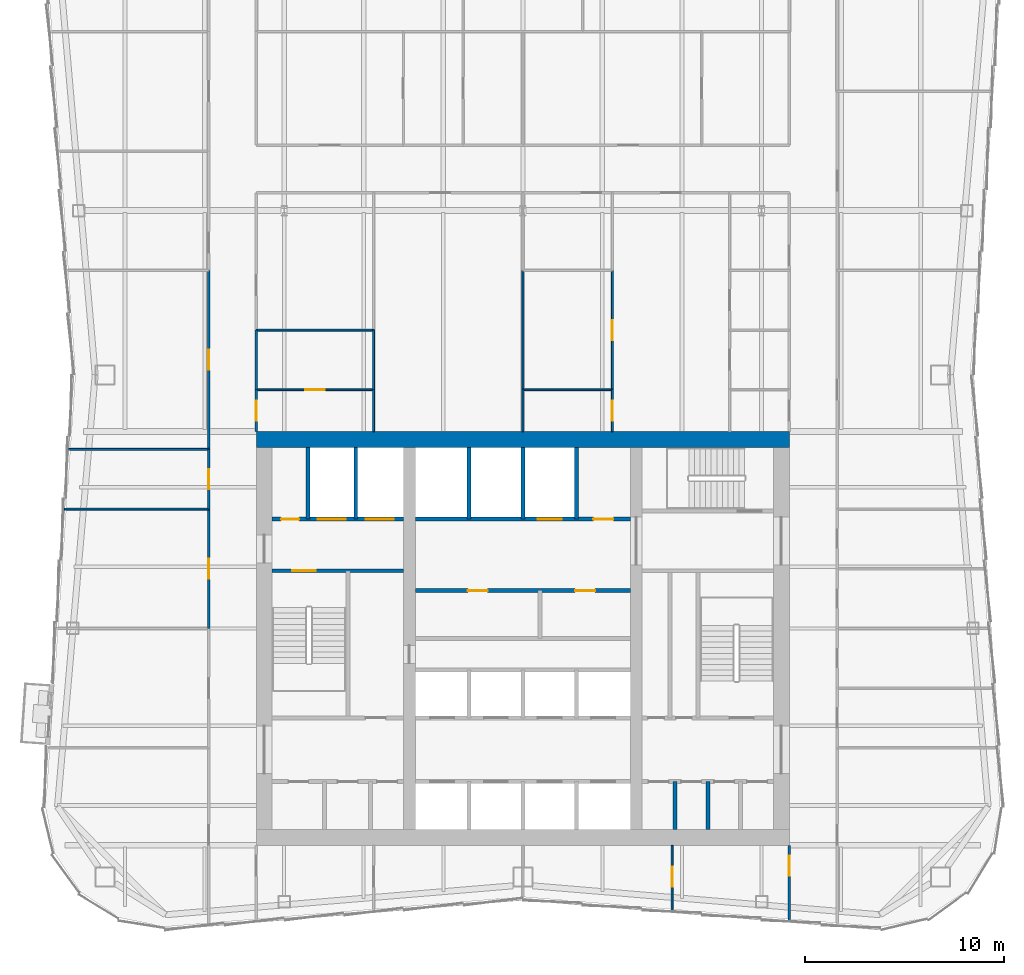
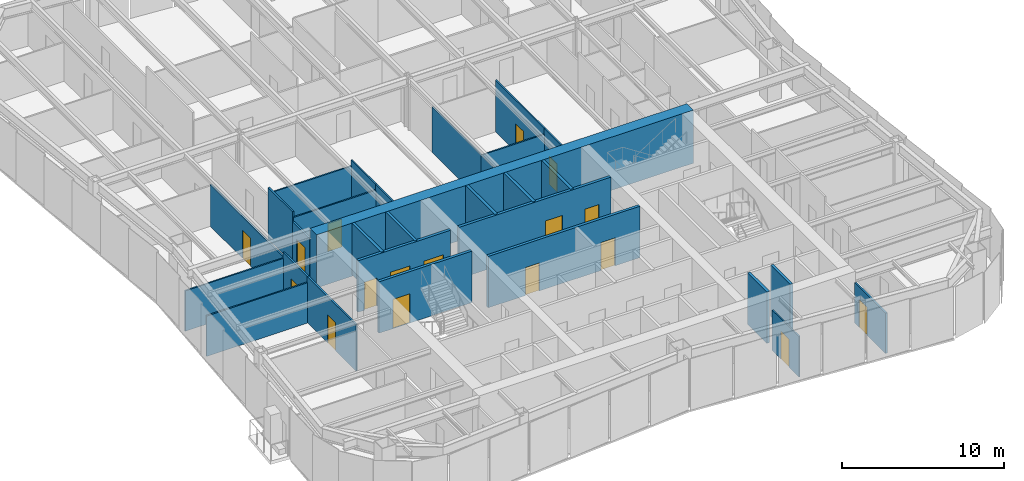
# One storey, part 7 of 12: 30 walls, 17 doors, 17 openings.
"""IFC4 building model written with IfcOpenShell, lengths in metres."""

from ifc_helpers import new_model, si_unit, direction, frame, frame_2d, origin, place, context, subcontext, project, spatial, rectangle, extrude, material, layer, layer_set, type_object, element, fill, save


model = new_model("IFC4")

# Units and contexts
model_context = context("Model", 3, precision=1e-05, world=origin(), true_north=direction((0.0, 1.0)))
body_context = subcontext(model_context, "Body", "Model", "MODEL_VIEW")
ifc_project = project(units=[si_unit("LENGTHUNIT", "METRE"), si_unit("AREAUNIT", "SQUARE_METRE"), si_unit("VOLUMEUNIT", "CUBIC_METRE"), si_unit("PLANEANGLEUNIT", "RADIAN"), si_unit("MASSUNIT", "GRAM", prefix="KILO")], contexts=[model_context])

# Site, building, storey
site_placement = place(None, origin())
site = spatial("IfcSite", under=ifc_project, at=site_placement, CompositionType="ELEMENT")
building_placement = place(site_placement, origin())
building = spatial("IfcBuilding", under=site, at=building_placement, Name="Verdant Reach Tower", CompositionType="ELEMENT")
storey_placement = place(building_placement, frame((0.0, 0.0, 270.0)))
storey = spatial("IfcBuildingStorey", under=building, at=storey_placement, Name="L62", CompositionType="ELEMENT", Elevation=270.0)

# Wall, openings, doors
ifc_material_1 = material(Name="Gypsum board on steel studs", Category="steel")
ifc_layer_1 = layer(ifc_material_1, 0.199951171875)
ifc_layer_set_1 = layer_set([ifc_layer_1], Name="CO-WALL-ROOM")
wall_type_1 = type_object("IfcWallType", Name="CO-WALL-ROOM", PredefinedType="PARTITIONING", material=ifc_layer_set_1)
wall_1_placement = place(storey_placement, frame((-5.39990234375, 30.39990234375, 0.0), z_axis=(0.0, 0.0, 1.0), x_axis=(1.0, 0.0, 0.0)))
wall_1 = element("IfcWall", 1, at=wall_1_placement, inside=storey, type_object=wall_type_1, Name="Core partition, L62", PredefinedType="PARTITIONING", context=body_context, shape_type="SweptSolid", body=[
    extrude(rectangle(XDim=10.7998046875, YDim=0.199951171875, at=frame_2d((5.39990234375, 0.0))), origin(), (0.0, 0.0, 1.0), 3.8701171875),
])
opening_1_placement = place(wall_1_placement, frame((2.632080078125, 0.0, 0.0)))
opening_1 = element("IfcOpeningElement", 2, at=opening_1_placement, cuts=wall_1, Name="Opening CD", PredefinedType="OPENING", context=body_context, shape_type="SweptSolid", body=[
    extrude(rectangle(XDim=1.0, YDim=2.10009765625, at=frame_2d((0.5, 1.050048828125))), frame((0.0, 0.10986328125, 0.0), z_axis=(0.0, -1.0, 0.0), x_axis=(1.0, 0.0, 0.0)), (0.0, 0.0, 1.0), 0.219970703125),
])
opening_2_placement = place(wall_1_placement, frame((8.031982421875, 0.0, 0.0)))
opening_2 = element("IfcOpeningElement", 3, at=opening_2_placement, cuts=wall_1, Name="Opening CD", PredefinedType="OPENING", context=body_context, shape_type="SweptSolid", body=[
    extrude(rectangle(XDim=1.0, YDim=2.10009765625, at=frame_2d((0.5, 1.050048828125))), frame((0.0, 0.10986328125, 0.0), z_axis=(0.0, -1.0, 0.0), x_axis=(1.0, 0.0, 0.0)), (0.0, 0.0, 1.0), 0.219970703125),
])
ifc_material_2 = material(Name="Timber", Category="wood")
door_type_1 = type_object("IfcDoorType", Name="CO-DOOR-ROOM", OperationType="NOTDEFINED", PredefinedType="DOOR", material=ifc_material_2)
door_1_placement = place(opening_1_placement, origin())
door_1 = element("IfcDoor", 4, at=door_1_placement, inside=storey, type_object=door_type_1, Name="Core room door, L62", OperationType="SINGLE_SWING_LEFT", OverallHeight=2.10009765625, OverallWidth=1.0, PredefinedType="DOOR", context=body_context, shape_type="SweptSolid", body=[
    extrude(rectangle(XDim=1.0, YDim=2.10009765625, at=frame_2d((0.5, 1.050048828125))), frame((0.0, 0.02490234375, 0.0), z_axis=(0.0, -1.0, 0.0), x_axis=(1.0, 0.0, 0.0)), (0.0, 0.0, 1.0), 0.050048828125),
])
fill(opening_1, door_1)
door_2_placement = place(opening_2_placement, origin())
door_2 = element("IfcDoor", 5, at=door_2_placement, inside=storey, type_object=door_type_1, Name="Core room door, L62", OperationType="SINGLE_SWING_RIGHT", OverallHeight=2.10009765625, OverallWidth=1.0, PredefinedType="DOOR", context=body_context, shape_type="SweptSolid", body=[
    extrude(rectangle(XDim=1.0, YDim=2.10009765625, at=frame_2d((0.5, 1.050048828125))), frame((0.0, 0.02490234375, 0.0), z_axis=(0.0, -1.0, 0.0), x_axis=(1.0, 0.0, 0.0)), (0.0, 0.0, 1.0), 0.050048828125),
])
fill(opening_2, door_2)

# Walls
for number, where, z_axis, x_axis, name in (
    (6, (7.64990234375, 18.39990234375, 0.0), (0.0, 0.0, 1.0), (0.0, 1.0, 0.0), "Core partition, L62"),
    (7, (9.300048828125, 18.39990234375, 0.0), (0.0, 0.0, 1.0), (0.0, 1.0, 0.0), "Core partition, L62"),
):
    element("IfcWall", number, at=place(storey_placement, frame(where, z_axis=z_axis, x_axis=x_axis)), inside=storey, type_object=wall_type_1, Name=name, PredefinedType="PARTITIONING", context=body_context, shape_type="SweptSolid", body=[
        extrude(rectangle(XDim=2.400146484375, YDim=0.199951171875, at=frame_2d((1.2001953125, 0.0))), origin(), (0.0, 0.0, 1.0), 3.8701171875),
    ])

# Wall, openings, doors
ifc_material_3 = material(Name="Concrete C40/50", Category="concrete")
ifc_layer_2 = layer(ifc_material_3, 0.199951171875)
ifc_layer_set_2 = layer_set([ifc_layer_2], Name="CO-WALL-SHAFT")
wall_type_2 = type_object("IfcWallType", Name="CO-WALL-SHAFT", PredefinedType="PARTITIONING", material=ifc_layer_set_2)
wall_2_placement = place(storey_placement, frame((-12.60009765625, 34.0, 0.0), z_axis=(0.0, 0.0, 1.0), x_axis=(1.0, 0.0, 0.0)))
wall_2 = element("IfcWall", 8, at=wall_2_placement, inside=storey, type_object=wall_type_2, Name="Lift shaft wall, L62", PredefinedType="PARTITIONING", context=body_context, shape_type="SweptSolid", body=[
    extrude(rectangle(XDim=6.60009765625, YDim=0.199951171875, at=frame_2d((3.300048828125, 0.0))), origin(), (0.0, 0.0, 1.0), 3.8701171875),
])
opening_3_placement = place(wall_2_placement, frame((4.699951171875, 0.0, 0.0)))
opening_3 = element("IfcOpeningElement", 9, at=opening_3_placement, cuts=wall_2, Name="Opening LD-F1", PredefinedType="OPENING", context=body_context, shape_type="SweptSolid", body=[
    extrude(rectangle(XDim=1.39990234375, YDim=2.199951171875, at=frame_2d((0.699951171875, 1.10009765625))), frame((0.0, 0.10986328125, 0.0), z_axis=(0.0, -1.0, 0.0), x_axis=(1.0, 0.0, 0.0)), (0.0, 0.0, 1.0), 0.219970703125),
])
opening_4_placement = place(wall_2_placement, frame((2.300048828125, 0.0, 0.0)))
opening_4 = element("IfcOpeningElement", 10, at=opening_4_placement, cuts=wall_2, Name="Opening LD-F2", PredefinedType="OPENING", context=body_context, shape_type="SweptSolid", body=[
    extrude(rectangle(XDim=1.39990234375, YDim=2.199951171875, at=frame_2d((0.699951171875, 1.10009765625))), frame((0.0, 0.10986328125, 0.0), z_axis=(0.0, -1.0, 0.0), x_axis=(1.0, 0.0, 0.0)), (0.0, 0.0, 1.0), 0.219970703125),
])
opening_5_placement = place(wall_2_placement, frame((0.449951171875, 0.0, 0.0)))
opening_5 = element("IfcOpeningElement", 11, at=opening_5_placement, cuts=wall_2, Name="Opening RD", PredefinedType="OPENING", context=body_context, shape_type="SweptSolid", body=[
    extrude(rectangle(XDim=0.89990234375, YDim=2.10009765625, at=frame_2d((0.449951171875, 1.050048828125))), frame((0.0, 0.10986328125, 0.0), z_axis=(0.0, -1.0, 0.0), x_axis=(1.0, 0.0, 0.0)), (0.0, 0.0, 1.0), 0.219970703125),
])
ifc_material_4 = material(Name="Stainless steel", Category="steel")
door_type_2 = type_object("IfcDoorType", Name="CO-DOOR-LANDING-FF", OperationType="SLIDING_TO_LEFT", PredefinedType="DOOR", material=ifc_material_4)
door_3_placement = place(opening_3_placement, origin())
door_3 = element("IfcDoor", 12, at=door_3_placement, inside=storey, type_object=door_type_2, Name="Landing door F1, L62", OperationType="SLIDING_TO_LEFT", OverallHeight=2.199951171875, OverallWidth=1.39990234375, PredefinedType="DOOR", context=body_context, shape_type="SweptSolid", body=[
    extrude(rectangle(XDim=1.39990234375, YDim=2.199951171875, at=frame_2d((0.699951171875, 1.10009765625))), frame((0.0, 0.02490234375, 0.0), z_axis=(0.0, -1.0, 0.0), x_axis=(1.0, 0.0, 0.0)), (0.0, 0.0, 1.0), 0.050048828125),
])
fill(opening_3, door_3)
door_4_placement = place(opening_4_placement, origin())
door_4 = element("IfcDoor", 13, at=door_4_placement, inside=storey, type_object=door_type_2, Name="Landing door F2, L62", OperationType="SLIDING_TO_LEFT", OverallHeight=2.199951171875, OverallWidth=1.39990234375, PredefinedType="DOOR", context=body_context, shape_type="SweptSolid", body=[
    extrude(rectangle(XDim=1.39990234375, YDim=2.199951171875, at=frame_2d((0.699951171875, 1.10009765625))), frame((0.0, 0.02490234375, 0.0), z_axis=(0.0, -1.0, 0.0), x_axis=(1.0, 0.0, 0.0)), (0.0, 0.0, 1.0), 0.050048828125),
])
fill(opening_4, door_4)
ifc_material_5 = material(Name="Steel", Category="steel")
door_type_3 = type_object("IfcDoorType", Name="CO-DOOR-RISER", OperationType="NOTDEFINED", PredefinedType="DOOR", material=ifc_material_5)
door_5_placement = place(opening_5_placement, origin())
door_5 = element("IfcDoor", 14, at=door_5_placement, inside=storey, type_object=door_type_3, Name="Core room door, L62", OperationType="SINGLE_SWING_RIGHT", OverallHeight=2.10009765625, OverallWidth=0.89990234375, PredefinedType="DOOR", context=body_context, shape_type="SweptSolid", body=[
    extrude(rectangle(XDim=0.89990234375, YDim=2.10009765625, at=frame_2d((0.449951171875, 1.050048828125))), frame((0.0, 0.02490234375, 0.0), z_axis=(0.0, -1.0, 0.0), x_axis=(1.0, 0.0, 0.0)), (0.0, 0.0, 1.0), 0.050048828125),
])
fill(opening_5, door_5)

wall_3_placement = place(storey_placement, frame((-5.39990234375, 34.0, 0.0), z_axis=(0.0, 0.0, 1.0), x_axis=(1.0, 0.0, 0.0)))
wall_3 = element("IfcWall", 15, at=wall_3_placement, inside=storey, type_object=wall_type_2, Name="Lift shaft wall, L62", PredefinedType="PARTITIONING", context=body_context, shape_type="SweptSolid", body=[
    extrude(rectangle(XDim=10.7998046875, YDim=0.199951171875, at=frame_2d((5.39990234375, 0.0))), origin(), (0.0, 0.0, 1.0), 3.8701171875),
])
opening_6_placement = place(wall_3_placement, frame((6.14990234375, 0.0, 0.0)))
opening_6 = element("IfcOpeningElement", 16, at=opening_6_placement, cuts=wall_3, Name="Opening LD-SL1", PredefinedType="OPENING", context=body_context, shape_type="SweptSolid", body=[
    extrude(rectangle(XDim=1.199951171875, YDim=2.199951171875, at=frame_2d((0.60009765625, 1.10009765625))), frame((0.0, 0.10986328125, 0.0), z_axis=(0.0, -1.0, 0.0), x_axis=(1.0, 0.0, 0.0)), (0.0, 0.0, 1.0), 0.219970703125),
])
opening_7_placement = place(wall_3_placement, frame((8.949951171875, 0.0, 0.0)))
opening_7 = element("IfcOpeningElement", 17, at=opening_7_placement, cuts=wall_3, Name="Opening CD", PredefinedType="OPENING", context=body_context, shape_type="SweptSolid", body=[
    extrude(rectangle(XDim=1.0, YDim=2.10009765625, at=frame_2d((0.5, 1.050048828125))), frame((0.0, 0.10986328125, 0.0), z_axis=(0.0, -1.0, 0.0), x_axis=(1.0, 0.0, 0.0)), (0.0, 0.0, 1.0), 0.219970703125),
])
door_type_4 = type_object("IfcDoorType", Name="CO-DOOR-LANDING", OperationType="SLIDING_TO_LEFT", PredefinedType="DOOR", material=ifc_material_4)
door_6_placement = place(opening_6_placement, origin())
door_6 = element("IfcDoor", 18, at=door_6_placement, inside=storey, type_object=door_type_4, Name="Landing door SL1, L62", OperationType="SLIDING_TO_LEFT", OverallHeight=2.199951171875, OverallWidth=1.199951171875, PredefinedType="DOOR", context=body_context, shape_type="SweptSolid", body=[
    extrude(rectangle(XDim=1.199951171875, YDim=2.199951171875, at=frame_2d((0.60009765625, 1.10009765625))), frame((0.0, 0.02490234375, 0.0), z_axis=(0.0, -1.0, 0.0), x_axis=(1.0, 0.0, 0.0)), (0.0, 0.0, 1.0), 0.050048828125),
])
fill(opening_6, door_6)
door_7_placement = place(opening_7_placement, origin())
door_7 = element("IfcDoor", 19, at=door_7_placement, inside=storey, type_object=door_type_1, Name="Core room door, L62", OperationType="SINGLE_SWING_LEFT", OverallHeight=2.10009765625, OverallWidth=1.0, PredefinedType="DOOR", context=body_context, shape_type="SweptSolid", body=[
    extrude(rectangle(XDim=1.0, YDim=2.10009765625, at=frame_2d((0.5, 1.050048828125))), frame((0.0, 0.02490234375, 0.0), z_axis=(0.0, -1.0, 0.0), x_axis=(1.0, 0.0, 0.0)), (0.0, 0.0, 1.0), 0.050048828125),
])
fill(opening_7, door_7)

# Walls
for number, where, z_axis, x_axis, name in (
    (20, (-10.800048828125, 34.0, 0.0), (0.0, 0.0, 1.0), (0.0, 1.0, 0.0), "Lift shaft wall, L62"),
    (21, (-8.39990234375, 34.0, 0.0), (0.0, 0.0, 1.0), (0.0, 1.0, 0.0), "Lift shaft wall, L62"),
    (22, (-2.699951171875, 34.0, 0.0), (0.0, 0.0, 1.0), (0.0, 1.0, 0.0), "Lift shaft wall, L62"),
    (23, (0.0, 34.0, 0.0), (0.0, 0.0, 1.0), (0.0, 1.0, 0.0), "Lift shaft wall, L62"),
    (24, (2.699951171875, 34.0, 0.0), (0.0, 0.0, 1.0), (0.0, 1.0, 0.0), "Lift shaft wall, L62"),
):
    element("IfcWall", number, at=place(storey_placement, frame(where, z_axis=z_axis, x_axis=x_axis)), inside=storey, type_object=wall_type_2, Name=name, PredefinedType="PARTITIONING", context=body_context, shape_type="SweptSolid", body=[
        extrude(rectangle(XDim=3.60009765625, YDim=0.199951171875, at=frame_2d((1.800048828125, 0.0))), origin(), (0.0, 0.0, 1.0), 3.8701171875),
    ])

# Wall, opening, door
ifc_layer_3 = layer(ifc_material_3, 0.199951171875)
ifc_layer_set_3 = layer_set([ifc_layer_3], Name="CO-WALL-STAIR")
wall_type_3 = type_object("IfcWallType", Name="CO-WALL-STAIR", PredefinedType="PARTITIONING", material=ifc_layer_set_3)
wall_4_placement = place(storey_placement, frame((-12.60009765625, 31.39990234375, 0.0), z_axis=(0.0, 0.0, 1.0), x_axis=(1.0, 0.0, 0.0)))
wall_4 = element("IfcWall", 25, at=wall_4_placement, inside=storey, type_object=wall_type_3, Name="Stair enclosure wall, L62", PredefinedType="PARTITIONING", context=body_context, shape_type="SweptSolid", body=[
    extrude(rectangle(XDim=6.60009765625, YDim=0.199951171875, at=frame_2d((3.300048828125, 0.0))), origin(), (0.0, 0.0, 1.0), 3.8701171875),
])
opening_8_placement = place(wall_4_placement, frame((1.0, 0.0, 0.0)))
opening_8 = element("IfcOpeningElement", 26, at=opening_8_placement, cuts=wall_4, Name="Opening SD", PredefinedType="OPENING", context=body_context, shape_type="SweptSolid", body=[
    extrude(rectangle(XDim=1.199951171875, YDim=2.199951171875, at=frame_2d((0.60009765625, 1.10009765625))), frame((0.0, 0.10986328125, 0.0), z_axis=(0.0, -1.0, 0.0), x_axis=(1.0, 0.0, 0.0)), (0.0, 0.0, 1.0), 0.219970703125),
])
door_type_5 = type_object("IfcDoorType", Name="CO-DOOR-STAIR", OperationType="NOTDEFINED", PredefinedType="DOOR", material=ifc_material_5)
door_8_placement = place(opening_8_placement, origin())
door_8 = element("IfcDoor", 27, at=door_8_placement, inside=storey, type_object=door_type_5, Name="Stair door, L62", OperationType="SINGLE_SWING_RIGHT", OverallHeight=2.199951171875, OverallWidth=1.199951171875, PredefinedType="DOOR", context=body_context, shape_type="SweptSolid", body=[
    extrude(rectangle(XDim=1.199951171875, YDim=2.199951171875, at=frame_2d((0.60009765625, 1.10009765625))), frame((0.0, 0.02490234375, 0.0), z_axis=(0.0, -1.0, 0.0), x_axis=(1.0, 0.0, 0.0)), (0.0, 0.0, 1.0), 0.050048828125),
])
fill(opening_8, door_8)

# Walls
ifc_layer_4 = layer(ifc_material_1, 0.10009765625)
ifc_layer_set_4 = layer_set([ifc_layer_4], Name="FL-W1 Partition 100")
wall_type_4 = type_object("IfcWallType", Name="FL-W1 Partition 100", PredefinedType="PARTITIONING", material=ifc_layer_set_4)
wall_5_placement = place(storey_placement, frame((-15.800048828125, 34.5, 0.0), z_axis=(0.0, 0.0, 1.0), x_axis=(-1.0, 0.0, 0.0)))
element("IfcWall", 28, at=wall_5_placement, inside=storey, type_object=wall_type_4, Name="Partition 62.43", PredefinedType="PARTITIONING", context=body_context, shape_type="SweptSolid", body=[
    extrude(rectangle(XDim=7.245361328125, YDim=0.10009765625, at=frame_2d((3.62255859375, 0.0))), origin(), (0.0, 0.0, 1.0), 3.0400390625),
])
wall_6_placement = place(storey_placement, frame((-15.800048828125, 37.5, 0.0), z_axis=(0.0, 0.0, 1.0), x_axis=(-1.0, 0.0, 0.0)))
element("IfcWall", 29, at=wall_6_placement, inside=storey, type_object=wall_type_4, Name="Partition 62.44", PredefinedType="PARTITIONING", context=body_context, shape_type="SweptSolid", body=[
    extrude(rectangle(XDim=7.03857421875, YDim=0.10009765625, at=frame_2d((3.519287109375, 0.0))), origin(), (0.0, 0.0, 1.0), 3.0400390625),
])

# Wall, opening, door
wall_7_placement = place(storey_placement, frame((7.5, 14.294921875, 0.0), z_axis=(0.0, 0.0, 1.0), x_axis=(0.0, 1.0, 0.0)))
wall_7 = element("IfcWall", 30, at=wall_7_placement, inside=storey, type_object=wall_type_4, Name="Partition 62.58", PredefinedType="PARTITIONING", context=body_context, shape_type="SweptSolid", body=[
    extrude(rectangle(XDim=3.30517578125, YDim=0.10009765625, at=frame_2d((1.652587890625, 0.0))), origin(), (0.0, 0.0, 1.0), 3.0400390625),
])
opening_9_placement = place(wall_7_placement, frame((1.217529296875, 0.0, 0.0)))
opening_9 = element("IfcOpeningElement", 31, at=opening_9_placement, cuts=wall_7, Name="Opening D3", PredefinedType="OPENING", context=body_context, shape_type="SweptSolid", body=[
    extrude(rectangle(XDim=1.0, YDim=2.10009765625, at=frame_2d((0.5, 1.050048828125))), frame((0.0, 0.06005859375, 0.0), z_axis=(0.0, -1.0, 0.0), x_axis=(1.0, 0.0, 0.0)), (0.0, 0.0, 1.0), 0.1201171875),
])
ifc_material_6 = material(Name="Painted timber door leaf", Category="wood")
door_type_6 = type_object("IfcDoorType", Name="FL-D3 Door 1000x2100", OperationType="NOTDEFINED", PredefinedType="DOOR", material=ifc_material_6)
door_9_placement = place(opening_9_placement, origin())
door_9 = element("IfcDoor", 32, at=door_9_placement, inside=storey, type_object=door_type_6, Name="Door 62-032", OperationType="SINGLE_SWING_RIGHT", OverallHeight=2.10009765625, OverallWidth=1.0, PredefinedType="DOOR", context=body_context, shape_type="SweptSolid", body=[
    extrude(rectangle(XDim=1.0, YDim=2.10009765625, at=frame_2d((0.5, 1.050048828125))), frame((0.0, 0.02490234375, 0.0), z_axis=(0.0, -1.0, 0.0), x_axis=(1.0, 0.0, 0.0)), (0.0, 0.0, 1.0), 0.050048828125),
])
fill(opening_9, door_9)

wall_8_placement = place(storey_placement, frame((-13.39990234375, 40.5, 0.0), z_axis=(0.0, 0.0, 1.0), x_axis=(1.0, 0.0, 0.0)))
wall_8 = element("IfcWall", 33, at=wall_8_placement, inside=storey, type_object=wall_type_4, Name="Partition 62.59", PredefinedType="PARTITIONING", context=body_context, shape_type="SweptSolid", body=[
    extrude(rectangle(XDim=5.89990234375, YDim=0.10009765625, at=frame_2d((2.949951171875, 0.0))), origin(), (0.0, 0.0, 1.0), 3.43994140625),
])
opening_10_placement = place(wall_8_placement, frame((2.449951171875, 0.0, 0.0)))
opening_10 = element("IfcOpeningElement", 34, at=opening_10_placement, cuts=wall_8, Name="Opening D3", PredefinedType="OPENING", context=body_context, shape_type="SweptSolid", body=[
    extrude(rectangle(XDim=1.0, YDim=2.10009765625, at=frame_2d((0.5, 1.050048828125))), frame((0.0, 0.06005859375, 0.0), z_axis=(0.0, -1.0, 0.0), x_axis=(1.0, 0.0, 0.0)), (0.0, 0.0, 1.0), 0.1201171875),
])
door_10_placement = place(opening_10_placement, origin())
door_10 = element("IfcDoor", 35, at=door_10_placement, inside=storey, type_object=door_type_6, Name="Door 62-033", OperationType="SINGLE_SWING_LEFT", OverallHeight=2.10009765625, OverallWidth=1.0, PredefinedType="DOOR", context=body_context, shape_type="SweptSolid", body=[
    extrude(rectangle(XDim=1.0, YDim=2.10009765625, at=frame_2d((0.5, 1.050048828125))), frame((0.0, 0.02490234375, 0.0), z_axis=(0.0, -1.0, 0.0), x_axis=(1.0, 0.0, 0.0)), (0.0, 0.0, 1.0), 0.050048828125),
])
fill(opening_10, door_10)

# Walls
wall_9_placement = place(storey_placement, frame((-7.5, 38.39990234375, 0.0), z_axis=(0.0, 0.0, 1.0), x_axis=(0.0, 1.0, 0.0)))
element("IfcWall", 36, at=wall_9_placement, inside=storey, type_object=wall_type_4, Name="Partition 62.60", PredefinedType="PARTITIONING", context=body_context, shape_type="SweptSolid", body=[
    extrude(rectangle(XDim=2.10400390625, YDim=0.10009765625, at=frame_2d((1.052001953125, 0.0))), origin(), (0.0, 0.0, 1.0), 3.8701171875),
])
wall_10_placement = place(storey_placement, frame((-7.5, 43.5, 0.0), z_axis=(0.0, 0.0, 1.0), x_axis=(-1.0, 0.0, 0.0)))
element("IfcWall", 37, at=wall_10_placement, inside=storey, type_object=wall_type_4, Name="Partition 62.61", PredefinedType="PARTITIONING", context=body_context, shape_type="SweptSolid", body=[
    extrude(rectangle(XDim=5.89990234375, YDim=0.10009765625, at=frame_2d((2.949951171875, 0.0))), origin(), (0.0, 0.0, 1.0), 3.43994140625),
])
wall_11_placement = place(storey_placement, frame((-7.5, 40.49609375, 0.0), z_axis=(0.0, 0.0, 1.0), x_axis=(0.0, 1.0, 0.0)))
element("IfcWall", 38, at=wall_11_placement, inside=storey, type_object=wall_type_4, Name="Partition 62.62", PredefinedType="PARTITIONING", context=body_context, shape_type="SweptSolid", body=[
    extrude(rectangle(XDim=3.0078125, YDim=0.10009765625, at=frame_2d((1.50390625, 0.0))), origin(), (0.0, 0.0, 1.0), 3.8701171875),
])
wall_12_placement = place(storey_placement, frame((0.0, 38.39990234375, 0.0), z_axis=(0.0, 0.0, 1.0), x_axis=(0.0, 1.0, 0.0)))
element("IfcWall", 39, at=wall_12_placement, inside=storey, type_object=wall_type_4, Name="Partition 62.64", PredefinedType="PARTITIONING", context=body_context, shape_type="SweptSolid", body=[
    extrude(rectangle(XDim=2.10009765625, YDim=0.10009765625, at=frame_2d((1.050048828125, 0.0))), origin(), (0.0, 0.0, 1.0), 3.43994140625),
])
wall_13_placement = place(storey_placement, frame((0.0, 40.5, 0.0), z_axis=(0.0, 0.0, 1.0), x_axis=(0.0, 1.0, 0.0)))
element("IfcWall", 40, at=wall_13_placement, inside=storey, type_object=wall_type_4, Name="Partition 62.65", PredefinedType="PARTITIONING", context=body_context, shape_type="SweptSolid", body=[
    extrude(rectangle(XDim=6.0, YDim=0.10009765625, at=frame_2d((3.0, 0.0))), origin(), (0.0, 0.0, 1.0), 3.43994140625),
])

# Wall, opening, door
wall_14_placement = place(storey_placement, frame((4.5, 38.39990234375, 0.0), z_axis=(0.0, 0.0, 1.0), x_axis=(0.0, 1.0, 0.0)))
wall_14 = element("IfcWall", 41, at=wall_14_placement, inside=storey, type_object=wall_type_4, Name="Partition 62.74", PredefinedType="PARTITIONING", context=body_context, shape_type="SweptSolid", body=[
    extrude(rectangle(XDim=2.10009765625, YDim=0.10009765625, at=frame_2d((1.050048828125, 0.0))), origin(), (0.0, 0.0, 1.0), 3.8701171875),
])
opening_11_placement = place(wall_14_placement, frame((0.550048828125, 0.0, 0.0)))
opening_11 = element("IfcOpeningElement", 42, at=opening_11_placement, cuts=wall_14, Name="Opening D3", PredefinedType="OPENING", context=body_context, shape_type="SweptSolid", body=[
    extrude(rectangle(XDim=1.0, YDim=2.10009765625, at=frame_2d((0.5, 1.050048828125))), frame((0.0, 0.06005859375, 0.0), z_axis=(0.0, -1.0, 0.0), x_axis=(1.0, 0.0, 0.0)), (0.0, 0.0, 1.0), 0.1201171875),
])
door_11_placement = place(opening_11_placement, origin())
door_11 = element("IfcDoor", 43, at=door_11_placement, inside=storey, type_object=door_type_6, Name="Door 62-036", OperationType="SINGLE_SWING_RIGHT", OverallHeight=2.10009765625, OverallWidth=1.0, PredefinedType="DOOR", context=body_context, shape_type="SweptSolid", body=[
    extrude(rectangle(XDim=1.0, YDim=2.10009765625, at=frame_2d((0.5, 1.050048828125))), frame((0.0, 0.02490234375, 0.0), z_axis=(0.0, -1.0, 0.0), x_axis=(1.0, 0.0, 0.0)), (0.0, 0.0, 1.0), 0.050048828125),
])
fill(opening_11, door_11)

wall_15_placement = place(storey_placement, frame((4.5, 40.5, 0.0), z_axis=(0.0, 0.0, 1.0), x_axis=(0.0, 1.0, 0.0)))
wall_15 = element("IfcWall", 44, at=wall_15_placement, inside=storey, type_object=wall_type_4, Name="Partition 62.75", PredefinedType="PARTITIONING", context=body_context, shape_type="SweptSolid", body=[
    extrude(rectangle(XDim=6.0, YDim=0.10009765625, at=frame_2d((3.0, 0.0))), origin(), (0.0, 0.0, 1.0), 3.8701171875),
])
opening_12_placement = place(wall_15_placement, frame((2.5, 0.0, 0.0)))
opening_12 = element("IfcOpeningElement", 45, at=opening_12_placement, cuts=wall_15, Name="Opening D3", PredefinedType="OPENING", context=body_context, shape_type="SweptSolid", body=[
    extrude(rectangle(XDim=1.0, YDim=2.10009765625, at=frame_2d((0.5, 1.050048828125))), frame((0.0, 0.06005859375, 0.0), z_axis=(0.0, -1.0, 0.0), x_axis=(1.0, 0.0, 0.0)), (0.0, 0.0, 1.0), 0.1201171875),
])
door_12_placement = place(opening_12_placement, origin())
door_12 = element("IfcDoor", 46, at=door_12_placement, inside=storey, type_object=door_type_6, Name="Door 62-037", OperationType="SINGLE_SWING_LEFT", OverallHeight=2.10009765625, OverallWidth=1.0, PredefinedType="DOOR", context=body_context, shape_type="SweptSolid", body=[
    extrude(rectangle(XDim=1.0, YDim=2.10009765625, at=frame_2d((0.5, 1.050048828125))), frame((0.0, 0.02490234375, 0.0), z_axis=(0.0, -1.0, 0.0), x_axis=(1.0, 0.0, 0.0)), (0.0, 0.0, 1.0), 0.050048828125),
])
fill(opening_12, door_12)

# Wall
wall_16_placement = place(storey_placement, frame((4.5, 40.5, 0.0), z_axis=(0.0, 0.0, 1.0), x_axis=(-1.0, 0.0, 0.0)))
element("IfcWall", 47, at=wall_16_placement, inside=storey, type_object=wall_type_4, Name="Partition 62.77", PredefinedType="PARTITIONING", context=body_context, shape_type="SweptSolid", body=[
    extrude(rectangle(XDim=4.5, YDim=0.10009765625, at=frame_2d((2.25, 0.0))), origin(), (0.0, 0.0, 1.0), 3.43994140625),
])

# Wall, opening, door
ifc_material_7 = material(Name="Gypsum board on steel studs, fire rated", Category="steel")
ifc_layer_5 = layer(ifc_material_7, 0.125)
ifc_layer_set_5 = layer_set([ifc_layer_5], Name="FL-W2 Corridor wall 125")
wall_type_5 = type_object("IfcWallType", Name="FL-W2 Corridor wall 125", PredefinedType="PARTITIONING", material=ifc_layer_set_5)
wall_17_placement = place(storey_placement, frame((-15.800048828125, 28.5, 0.0), z_axis=(0.0, 0.0, 1.0), x_axis=(0.0, 1.0, 0.0)))
wall_17 = element("IfcWall", 48, at=wall_17_placement, inside=storey, type_object=wall_type_5, Name="Partition 62.03", PredefinedType="PARTITIONING", context=body_context, shape_type="SweptSolid", body=[
    extrude(rectangle(XDim=6.0, YDim=0.125, at=frame_2d((3.0, 0.0))), origin(), (0.0, 0.0, 1.0), 3.47998046875),
])
opening_13_placement = place(wall_17_placement, frame((2.5, 0.0, 0.0)))
opening_13 = element("IfcOpeningElement", 49, at=opening_13_placement, cuts=wall_17, Name="Opening D2", PredefinedType="OPENING", context=body_context, shape_type="SweptSolid", body=[
    extrude(rectangle(XDim=1.0, YDim=2.10009765625, at=frame_2d((0.5, 1.050048828125))), frame((0.0, 0.072509765625, 0.0), z_axis=(0.0, -1.0, 0.0), x_axis=(1.0, 0.0, 0.0)), (0.0, 0.0, 1.0), 0.14501953125),
])
ifc_material_8 = material(Name="Timber door leaf, fire rated", Category="wood")
door_type_7 = type_object("IfcDoorType", Name="FL-D2 Entrance door 1000x2100 FD30", OperationType="NOTDEFINED", PredefinedType="DOOR", material=ifc_material_8)
door_13_placement = place(opening_13_placement, origin())
door_13 = element("IfcDoor", 50, at=door_13_placement, inside=storey, type_object=door_type_7, Name="Door 62-003", OperationType="SINGLE_SWING_LEFT", OverallHeight=2.10009765625, OverallWidth=1.0, PredefinedType="DOOR", context=body_context, shape_type="SweptSolid", body=[
    extrude(rectangle(XDim=1.0, YDim=2.10009765625, at=frame_2d((0.5, 1.050048828125))), frame((0.0, 0.02490234375, 0.0), z_axis=(0.0, -1.0, 0.0), x_axis=(1.0, 0.0, 0.0)), (0.0, 0.0, 1.0), 0.050048828125),
])
fill(opening_13, door_13)

wall_18_placement = place(storey_placement, frame((-15.800048828125, 34.5, 0.0), z_axis=(0.0, 0.0, 1.0), x_axis=(0.0, 1.0, 0.0)))
wall_18 = element("IfcWall", 51, at=wall_18_placement, inside=storey, type_object=wall_type_5, Name="Partition 62.04", PredefinedType="PARTITIONING", context=body_context, shape_type="SweptSolid", body=[
    extrude(rectangle(XDim=3.0, YDim=0.125, at=frame_2d((1.5, 0.0))), origin(), (0.0, 0.0, 1.0), 3.47998046875),
])
opening_14_placement = place(wall_18_placement, frame((1.0, 0.0, 0.0)))
opening_14 = element("IfcOpeningElement", 52, at=opening_14_placement, cuts=wall_18, Name="Opening D2", PredefinedType="OPENING", context=body_context, shape_type="SweptSolid", body=[
    extrude(rectangle(XDim=1.0, YDim=2.10009765625, at=frame_2d((0.5, 1.050048828125))), frame((0.0, 0.072509765625, 0.0), z_axis=(0.0, -1.0, 0.0), x_axis=(1.0, 0.0, 0.0)), (0.0, 0.0, 1.0), 0.14501953125),
])
door_14_placement = place(opening_14_placement, origin())
door_14 = element("IfcDoor", 53, at=door_14_placement, inside=storey, type_object=door_type_7, Name="Door 62-004", OperationType="SINGLE_SWING_RIGHT", OverallHeight=2.10009765625, OverallWidth=1.0, PredefinedType="DOOR", context=body_context, shape_type="SweptSolid", body=[
    extrude(rectangle(XDim=1.0, YDim=2.10009765625, at=frame_2d((0.5, 1.050048828125))), frame((0.0, 0.02490234375, 0.0), z_axis=(0.0, -1.0, 0.0), x_axis=(1.0, 0.0, 0.0)), (0.0, 0.0, 1.0), 0.050048828125),
])
fill(opening_14, door_14)

wall_19_placement = place(storey_placement, frame((-15.800048828125, 37.5, 0.0), z_axis=(0.0, 0.0, 1.0), x_axis=(0.0, 1.0, 0.0)))
wall_19 = element("IfcWall", 54, at=wall_19_placement, inside=storey, type_object=wall_type_5, Name="Partition 62.05", PredefinedType="PARTITIONING", context=body_context, shape_type="SweptSolid", body=[
    extrude(rectangle(XDim=9.0, YDim=0.125, at=frame_2d((4.5, 0.0))), origin(), (0.0, 0.0, 1.0), 3.139892578125),
])
opening_15_placement = place(wall_19_placement, frame((4.0, 0.0, 0.0)))
opening_15 = element("IfcOpeningElement", 55, at=opening_15_placement, cuts=wall_19, Name="Opening D2", PredefinedType="OPENING", context=body_context, shape_type="SweptSolid", body=[
    extrude(rectangle(XDim=1.0, YDim=2.10009765625, at=frame_2d((0.5, 1.050048828125))), frame((0.0, 0.072509765625, 0.0), z_axis=(0.0, -1.0, 0.0), x_axis=(1.0, 0.0, 0.0)), (0.0, 0.0, 1.0), 0.14501953125),
])
door_15_placement = place(opening_15_placement, origin())
door_15 = element("IfcDoor", 56, at=door_15_placement, inside=storey, type_object=door_type_7, Name="Door 62-005", OperationType="SINGLE_SWING_LEFT", OverallHeight=2.10009765625, OverallWidth=1.0, PredefinedType="DOOR", context=body_context, shape_type="SweptSolid", body=[
    extrude(rectangle(XDim=1.0, YDim=2.10009765625, at=frame_2d((0.5, 1.050048828125))), frame((0.0, 0.02490234375, 0.0), z_axis=(0.0, -1.0, 0.0), x_axis=(1.0, 0.0, 0.0)), (0.0, 0.0, 1.0), 0.050048828125),
])
fill(opening_15, door_15)

wall_20_placement = place(storey_placement, frame((13.39990234375, 13.80322265625, 0.0), z_axis=(0.0, 0.0, 1.0), x_axis=(0.0, 1.0, 0.0)))
wall_20 = element("IfcWall", 57, at=wall_20_placement, inside=storey, type_object=wall_type_5, Name="Partition 62.19", PredefinedType="PARTITIONING", context=body_context, shape_type="SweptSolid", body=[
    extrude(rectangle(XDim=3.796875, YDim=0.125, at=frame_2d((1.8984375, 0.0))), origin(), (0.0, 0.0, 1.0), 3.0400390625),
])
opening_16_placement = place(wall_20_placement, frame((2.263427734375, 0.0, 0.0)))
opening_16 = element("IfcOpeningElement", 58, at=opening_16_placement, cuts=wall_20, Name="Opening D2", PredefinedType="OPENING", context=body_context, shape_type="SweptSolid", body=[
    extrude(rectangle(XDim=1.0, YDim=2.10009765625, at=frame_2d((0.5, 1.050048828125))), frame((0.0, 0.072509765625, 0.0), z_axis=(0.0, -1.0, 0.0), x_axis=(1.0, 0.0, 0.0)), (0.0, 0.0, 1.0), 0.14501953125),
])
door_16_placement = place(opening_16_placement, origin())
door_16 = element("IfcDoor", 59, at=door_16_placement, inside=storey, type_object=door_type_7, Name="Door 62-019", OperationType="SINGLE_SWING_RIGHT", OverallHeight=2.10009765625, OverallWidth=1.0, PredefinedType="DOOR", context=body_context, shape_type="SweptSolid", body=[
    extrude(rectangle(XDim=1.0, YDim=2.10009765625, at=frame_2d((0.5, 1.050048828125))), frame((0.0, 0.02490234375, 0.0), z_axis=(0.0, -1.0, 0.0), x_axis=(1.0, 0.0, 0.0)), (0.0, 0.0, 1.0), 0.050048828125),
])
fill(opening_16, door_16)

wall_21_placement = place(storey_placement, frame((-13.39990234375, 40.5, 0.0), z_axis=(0.0, 0.0, 1.0), x_axis=(0.0, -1.0, 0.0)))
wall_21 = element("IfcWall", 60, at=wall_21_placement, inside=storey, type_object=wall_type_5, Name="Partition 62.20", PredefinedType="PARTITIONING", context=body_context, shape_type="SweptSolid", body=[
    extrude(rectangle(XDim=2.10009765625, YDim=0.125, at=frame_2d((1.050048828125, 0.0))), origin(), (0.0, 0.0, 1.0), 3.139892578125),
])
opening_17_placement = place(wall_21_placement, frame((0.550048828125, 0.0, 0.0)))
opening_17 = element("IfcOpeningElement", 61, at=opening_17_placement, cuts=wall_21, Name="Opening D2", PredefinedType="OPENING", context=body_context, shape_type="SweptSolid", body=[
    extrude(rectangle(XDim=1.0, YDim=2.10009765625, at=frame_2d((0.5, 1.050048828125))), frame((0.0, 0.072509765625, 0.0), z_axis=(0.0, -1.0, 0.0), x_axis=(1.0, 0.0, 0.0)), (0.0, 0.0, 1.0), 0.14501953125),
])
door_17_placement = place(opening_17_placement, origin())
door_17 = element("IfcDoor", 62, at=door_17_placement, inside=storey, type_object=door_type_7, Name="Door 62-020", OperationType="SINGLE_SWING_RIGHT", OverallHeight=2.10009765625, OverallWidth=1.0, PredefinedType="DOOR", context=body_context, shape_type="SweptSolid", body=[
    extrude(rectangle(XDim=1.0, YDim=2.10009765625, at=frame_2d((0.5, 1.050048828125))), frame((0.0, 0.02490234375, 0.0), z_axis=(0.0, -1.0, 0.0), x_axis=(1.0, 0.0, 0.0)), (0.0, 0.0, 1.0), 0.050048828125),
])
fill(opening_17, door_17)

# Walls
wall_22_placement = place(storey_placement, frame((-13.39990234375, 40.5, 0.0), z_axis=(0.0, 0.0, 1.0), x_axis=(0.0, 1.0, 0.0)))
element("IfcWall", 63, at=wall_22_placement, inside=storey, type_object=wall_type_5, Name="Partition 62.21", PredefinedType="PARTITIONING", context=body_context, shape_type="SweptSolid", body=[
    extrude(rectangle(XDim=3.0, YDim=0.125, at=frame_2d((1.5, 0.0))), origin(), (0.0, 0.0, 1.0), 3.8701171875),
])
ifc_material_9 = material(Name="Concrete C70/85", Category="concrete")
ifc_layer_6 = layer(ifc_material_9, 0.800048828125)
ifc_layer_set_6 = layer_set([ifc_layer_6], Name="ST-CORE-WALL-800")
wall_type_6 = type_object("IfcWallType", Name="ST-CORE-WALL-800", PredefinedType="SHEAR", material=ifc_layer_set_6)
wall_23_placement = place(storey_placement, frame((-13.39990234375, 38.0, -0.1298828125), z_axis=(0.0, 0.0, 1.0), x_axis=(1.0, 0.0, 0.0)))
element("IfcWall", 64, at=wall_23_placement, inside=storey, type_object=wall_type_6, Name="Core wall N, L62", PredefinedType="SHEAR", context=body_context, shape_type="SweptSolid", body=[
    extrude(rectangle(XDim=26.7998046875, YDim=0.800048828125, at=frame_2d((13.39990234375, 0.0))), origin(), (0.0, 0.0, 1.0), 4.0),
])

save(model, "model.ifc")
